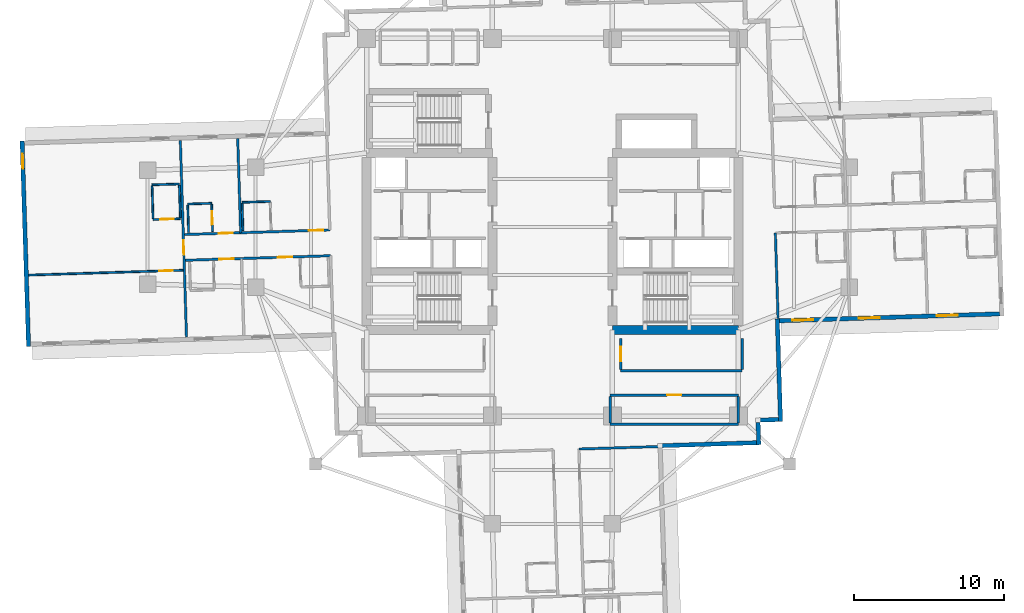
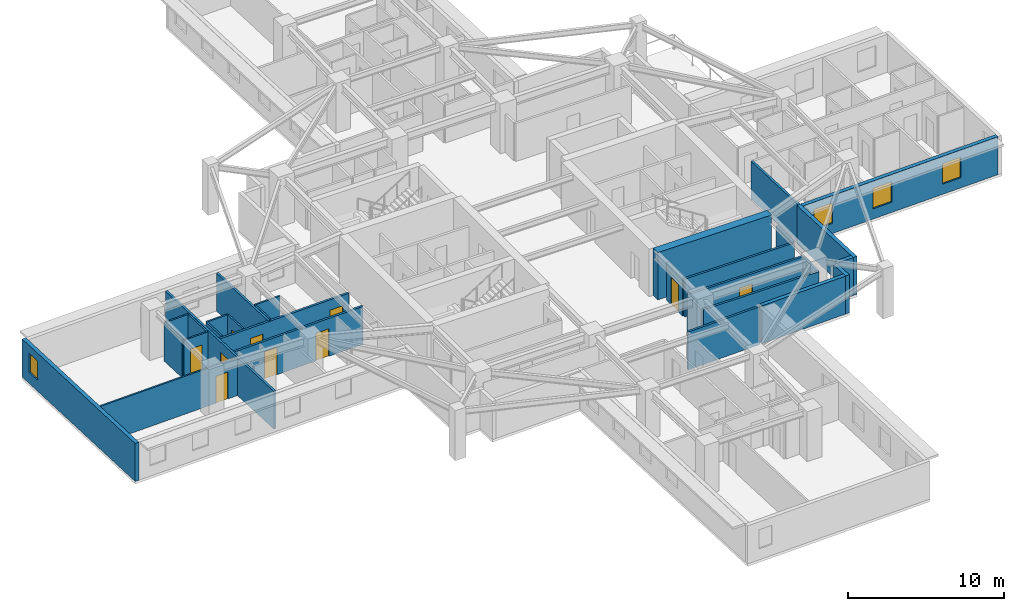
# One storey, part 4 of 14: 30 walls, 10 doors, 4 windows, 14 openings.
"""IFC4 building model written with IfcOpenShell, lengths in metres."""

from ifc_helpers import new_model, si_unit, direction, frame, frame_2d, origin, place, context, subcontext, project, spatial, rectangle, extrude, material, layer, layer_set, type_object, element, fill, save


model = new_model("IFC4")

# Units and contexts
model_context = context("Model", 3, precision=1e-05, world=origin(), true_north=direction((0.0, 1.0)))
body_context = subcontext(model_context, "Body", "Model", "MODEL_VIEW")
ifc_project = project(units=[si_unit("LENGTHUNIT", "METRE"), si_unit("AREAUNIT", "SQUARE_METRE"), si_unit("VOLUMEUNIT", "CUBIC_METRE"), si_unit("PLANEANGLEUNIT", "RADIAN"), si_unit("MASSUNIT", "GRAM", prefix="KILO")], contexts=[model_context])

# Site, building, storey
site_placement = place(None, origin())
site = spatial("IfcSite", under=ifc_project, at=site_placement, CompositionType="ELEMENT")
building_placement = place(site_placement, origin())
building = spatial("IfcBuilding", under=site, at=building_placement, Name="Qingluan Cross Belvedere", CompositionType="ELEMENT")
storey_placement = place(building_placement, frame((0.0, 0.0, 135.89990234375)))
storey = spatial("IfcBuildingStorey", under=building, at=storey_placement, Name="L34", CompositionType="ELEMENT", Elevation=135.89990234375)

# Walls
ifc_material_1 = material(Name="Concrete C60", Category="concrete")
ifc_layer_1 = layer(ifc_material_1, 0.60009765625, Name="CoreShearWall_600")
ifc_layer_set_1 = layer_set([ifc_layer_1], Name="Concrete C60")
wall_type_1 = type_object("IfcWallType", Name="CoreShearWall_600", PredefinedType="SHEAR", material=ifc_layer_set_1)
wall_1_placement = place(storey_placement, frame((4.0, -6.85009765625, 0.0), z_axis=(0.0, 0.0, 1.0), x_axis=(1.0, 0.0, 0.0)))
element("IfcWall", 1, at=wall_1_placement, inside=storey, type_object=wall_type_1, Name="Split core E shear wall L34-S", PredefinedType="SHEAR", context=body_context, shape_type="SweptSolid", body=[
    extrude(rectangle(XDim=8.39990234375, YDim=0.60009765625, at=frame_2d((4.199951171875, 0.0))), origin(), (0.0, 0.0, 1.0), 3.7001953125),
])
ifc_material_2 = material(Name="Gypsum plasterboard on steel stud acoustic partition", Category="steel")
ifc_layer_2 = layer(ifc_material_2, 0.159912109375, Name="CorridorPartition_160")
ifc_layer_set_2 = layer_set([ifc_layer_2], Name="Gypsum plasterboard on steel stud acoustic partition")
wall_type_2 = type_object("IfcWallType", Name="CorridorPartition_160", PredefinedType="PARTITIONING", material=ifc_layer_set_2)
wall_2_placement = place(storey_placement, frame((3.85009765625, -13.14990234375, 0.0), z_axis=(0.0, 0.0, 1.0), x_axis=(1.0, 0.0, 0.0)))
element("IfcWall", 2, at=wall_2_placement, inside=storey, type_object=wall_type_2, Name="Partition L34:q_se:S", PredefinedType="PARTITIONING", context=body_context, shape_type="SweptSolid", body=[
    extrude(rectangle(XDim=8.5498046875, YDim=0.159912109375, at=frame_2d((4.27490234375, 0.0))), origin(), (0.0, 0.0, 1.0), 2.960205078125),
])

# Wall, opening, door
wall_3_placement = place(storey_placement, frame((3.85009765625, -11.199951171875, 0.0), z_axis=(0.0, 0.0, 1.0), x_axis=(1.0, 0.0, 0.0)))
wall_3 = element("IfcWall", 3, at=wall_3_placement, inside=storey, type_object=wall_type_2, Name="Partition L34:q_se:N", PredefinedType="PARTITIONING", context=body_context, shape_type="SweptSolid", body=[
    extrude(rectangle(XDim=8.5498046875, YDim=0.159912109375, at=frame_2d((4.27490234375, 0.0))), origin(), (0.0, 0.0, 1.0), 2.960205078125),
])
opening_1_placement = place(wall_3_placement, frame((3.794921875, 0.0, 0.0)))
opening_1 = element("IfcOpeningElement", 4, at=opening_1_placement, cuts=wall_3, Name="Opening GD-10", PredefinedType="OPENING", context=body_context, shape_type="SweptSolid", body=[
    extrude(rectangle(XDim=0.9599609375, YDim=2.14990234375, at=frame_2d((0.47998046875, 1.074951171875))), frame((0.0, 0.08984375, 0.0), z_axis=(0.0, -1.0, 0.0), x_axis=(1.0, 0.0, 0.0)), (0.0, 0.0, 1.0), 0.179931640625),
])
ifc_material_3 = material(Name="Timber oak fire-rated acoustic guestroom door", Category="wood")
door_type_1 = type_object("IfcDoorType", Name="GuestEntryDoor_FD60", OperationType="NOTDEFINED", PredefinedType="DOOR", material=ifc_material_3)
door_1_placement = place(opening_1_placement, origin())
door_1 = element("IfcDoor", 5, at=door_1_placement, inside=storey, type_object=door_type_1, Name="Wellness lounge L34 door", OperationType="SINGLE_SWING_LEFT", OverallHeight=2.14990234375, OverallWidth=0.9599609375, PredefinedType="DOOR", context=body_context, shape_type="SweptSolid", body=[
    extrude(rectangle(XDim=0.9599609375, YDim=2.14990234375, at=frame_2d((0.47998046875, 1.074951171875))), frame((0.0, 0.02490234375, 0.0), z_axis=(0.0, -1.0, 0.0), x_axis=(1.0, 0.0, 0.0)), (0.0, 0.0, 1.0), 0.050048828125),
])
fill(opening_1, door_1)

# Walls
for number, where, z_axis, x_axis, name in (
    (6, (3.85009765625, -13.06494140625, 0.0), (0.0, 0.0, 1.0), (0.0, 1.0, 0.0), "Partition L34:q_se:W"),
    (7, (12.39990234375, -13.06494140625, 0.0), (0.0, 0.0, 1.0), (0.0, 1.0, 0.0), "Partition L34:q_se:E"),
):
    element("IfcWall", number, at=place(storey_placement, frame(where, z_axis=z_axis, x_axis=x_axis)), inside=storey, type_object=wall_type_2, Name=name, PredefinedType="PARTITIONING", context=body_context, shape_type="SweptSolid", body=[
        extrude(rectangle(XDim=1.780029296875, YDim=0.159912109375, at=frame_2d((0.89013671875, 0.0))), origin(), (0.0, 0.0, 1.0), 2.960205078125),
    ])
wall_4_placement = place(storey_placement, frame((4.550048828125, -9.580078125, 0.0), z_axis=(0.0, 0.0, 1.0), x_axis=(1.0, 0.0, 0.0)))
element("IfcWall", 8, at=wall_4_placement, inside=storey, type_object=wall_type_2, Name="Partition L34:rec_st4:S", PredefinedType="PARTITIONING", context=body_context, shape_type="SweptSolid", body=[
    extrude(rectangle(XDim=8.099853515625, YDim=0.159912109375, at=frame_2d((4.0498046875, 0.0))), origin(), (0.0, 0.0, 1.0), 2.960205078125),
])

# Wall, opening, door
wall_5_placement = place(storey_placement, frame((4.550048828125, -9.4951171875, 0.0), z_axis=(0.0, 0.0, 1.0), x_axis=(0.0, 1.0, 0.0)))
wall_5 = element("IfcWall", 9, at=wall_5_placement, inside=storey, type_object=wall_type_2, Name="Partition L34:rec_st4:W", PredefinedType="PARTITIONING", context=body_context, shape_type="SweptSolid", body=[
    extrude(rectangle(XDim=2.06005859375, YDim=0.159912109375, at=frame_2d((1.030029296875, 0.0))), origin(), (0.0, 0.0, 1.0), 2.960205078125),
])
opening_2_placement = place(wall_5_placement, frame((0.550048828125, 0.0, 0.0)))
opening_2 = element("IfcOpeningElement", 10, at=opening_2_placement, cuts=wall_5, Name="Opening GD-10", PredefinedType="OPENING", context=body_context, shape_type="SweptSolid", body=[
    extrude(rectangle(XDim=0.9599609375, YDim=2.14990234375, at=frame_2d((0.47998046875, 1.074951171875))), frame((0.0, 0.08984375, 0.0), z_axis=(0.0, -1.0, 0.0), x_axis=(1.0, 0.0, 0.0)), (0.0, 0.0, 1.0), 0.179931640625),
])
door_2_placement = place(opening_2_placement, origin())
door_2 = element("IfcDoor", 11, at=door_2_placement, inside=storey, type_object=door_type_1, Name="Southeast club library room L34 door", OperationType="SINGLE_SWING_RIGHT", OverallHeight=2.14990234375, OverallWidth=0.9599609375, PredefinedType="DOOR", context=body_context, shape_type="SweptSolid", body=[
    extrude(rectangle(XDim=0.9599609375, YDim=2.14990234375, at=frame_2d((0.47998046875, 1.074951171875))), frame((0.0, 0.02490234375, 0.0), z_axis=(0.0, -1.0, 0.0), x_axis=(1.0, 0.0, 0.0)), (0.0, 0.0, 1.0), 0.050048828125),
])
fill(opening_2, door_2)

# Walls
wall_6_placement = place(storey_placement, frame((12.64990234375, -9.4951171875, 0.0), z_axis=(0.0, 0.0, 1.0), x_axis=(0.0, 1.0, 0.0)))
element("IfcWall", 12, at=wall_6_placement, inside=storey, type_object=wall_type_2, Name="Partition L34:rec_st4:E", PredefinedType="PARTITIONING", context=body_context, shape_type="SweptSolid", body=[
    extrude(rectangle(XDim=2.06005859375, YDim=0.159912109375, at=frame_2d((1.030029296875, 0.0))), origin(), (0.0, 0.0, 1.0), 2.960205078125),
])
wall_7_placement = place(storey_placement, frame((14.86962890625, -0.39306640625, 0.0), z_axis=(0.0, 0.0, 1.0), x_axis=(0.031457590098, -0.999505087543, 0.0)))
element("IfcWall", 13, at=wall_7_placement, inside=storey, type_object=wall_type_2, Name="Partition L34:E:s1", PredefinedType="PARTITIONING", context=body_context, shape_type="SweptSolid", body=[
    extrude(rectangle(XDim=5.712158203125, YDim=0.159912109375, at=frame_2d((2.85595703125, 0.0))), origin(), (0.0, 0.0, 1.0), 2.960205078125),
])

# Wall, openings, doors
wall_8_placement = place(storey_placement, frame((-14.8515625, -0.1865234375, 0.0), z_axis=(0.0, 0.0, 1.0), x_axis=(-0.999506535435, -0.031411552371, 0.0)))
wall_8 = element("IfcWall", 14, at=wall_8_placement, inside=storey, type_object=wall_type_2, Name="Partition L34:W:c0", PredefinedType="PARTITIONING", context=body_context, shape_type="SweptSolid", body=[
    extrude(rectangle(XDim=9.699951171875, YDim=0.159912109375, at=frame_2d((4.85009765625, 0.0))), origin(), (0.0, 0.0, 1.0), 2.960205078125),
])
opening_3_placement = place(wall_8_placement, frame((0.449951171875, 0.0, 0.0)))
opening_3 = element("IfcOpeningElement", 15, at=opening_3_placement, cuts=wall_8, Name="Opening GD-10", PredefinedType="OPENING", context=body_context, shape_type="SweptSolid", body=[
    extrude(rectangle(XDim=0.9599609375, YDim=2.14990234375, at=frame_2d((0.47998046875, 1.074951171875))), frame((0.0, 0.08984375, 0.0), z_axis=(0.0, -1.0, 0.0), x_axis=(1.0, 0.0, 0.0)), (0.0, 0.0, 1.0), 0.179931640625),
])
opening_4_placement = place(wall_8_placement, frame((6.467041015625, 0.0, 0.0)))
opening_4 = element("IfcOpeningElement", 16, at=opening_4_placement, cuts=wall_8, Name="Opening GD-10", PredefinedType="OPENING", context=body_context, shape_type="SweptSolid", body=[
    extrude(rectangle(XDim=0.9599609375, YDim=2.14990234375, at=frame_2d((0.47998046875, 1.074951171875))), frame((0.0, 0.08984375, 0.0), z_axis=(0.0, -1.0, 0.0), x_axis=(1.0, 0.0, 0.0)), (0.0, 0.0, 1.0), 0.179931640625),
])
door_3_placement = place(opening_3_placement, origin())
door_3 = element("IfcDoor", 17, at=door_3_placement, inside=storey, type_object=door_type_1, Name="Guest entry fire door 3407", OperationType="SINGLE_SWING_RIGHT", OverallHeight=2.14990234375, OverallWidth=0.9599609375, PredefinedType="DOOR", context=body_context, shape_type="SweptSolid", body=[
    extrude(rectangle(XDim=0.9599609375, YDim=2.14990234375, at=frame_2d((0.47998046875, 1.074951171875))), frame((0.0, 0.02490234375, 0.0), z_axis=(0.0, -1.0, 0.0), x_axis=(1.0, 0.0, 0.0)), (0.0, 0.0, 1.0), 0.050048828125),
])
fill(opening_3, door_3)
door_4_placement = place(opening_4_placement, origin())
door_4 = element("IfcDoor", 18, at=door_4_placement, inside=storey, type_object=door_type_1, Name="Guest entry fire door 3408", OperationType="SINGLE_SWING_RIGHT", OverallHeight=2.14990234375, OverallWidth=0.9599609375, PredefinedType="DOOR", context=body_context, shape_type="SweptSolid", body=[
    extrude(rectangle(XDim=0.9599609375, YDim=2.14990234375, at=frame_2d((0.47998046875, 1.074951171875))), frame((0.0, 0.02490234375, 0.0), z_axis=(0.0, -1.0, 0.0), x_axis=(1.0, 0.0, 0.0)), (0.0, 0.0, 1.0), 0.050048828125),
])
fill(opening_4, door_4)

# Wall
wall_9_placement = place(storey_placement, frame((-20.798583984375, -0.37353515625, 0.0), z_axis=(0.0, 0.0, 1.0), x_axis=(-0.031391020963, 0.999507180466, 0.0)))
element("IfcWall", 19, at=wall_9_placement, inside=storey, type_object=wall_type_2, Name="Partition L34:W:d0_0", PredefinedType="PARTITIONING", context=body_context, shape_type="SweptSolid", body=[
    extrude(rectangle(XDim=6.2919921875, YDim=0.159912109375, at=frame_2d((3.14599609375, 0.0))), origin(), (0.0, 0.0, 1.0), 2.960205078125),
])

# Wall, openings, doors
wall_10_placement = place(storey_placement, frame((-14.79736328125, -1.90576171875, 0.0), z_axis=(0.0, 0.0, 1.0), x_axis=(-0.999506560269, -0.031410762168, 0.0)))
wall_10 = element("IfcWall", 20, at=wall_10_placement, inside=storey, type_object=wall_type_2, Name="Partition L34:W:c1", PredefinedType="PARTITIONING", context=body_context, shape_type="SweptSolid", body=[
    extrude(rectangle(XDim=9.7001953125, YDim=0.159912109375, at=frame_2d((4.85009765625, 0.0))), origin(), (0.0, 0.0, 1.0), 2.960205078125),
])
opening_5_placement = place(wall_10_placement, frame((2.574951171875, 0.0, 0.0)))
opening_5 = element("IfcOpeningElement", 21, at=opening_5_placement, cuts=wall_10, Name="Opening GD-10", PredefinedType="OPENING", context=body_context, shape_type="SweptSolid", body=[
    extrude(rectangle(XDim=0.9599609375, YDim=2.14990234375, at=frame_2d((0.47998046875, 1.074951171875))), frame((0.0, 0.08984375, 0.0), z_axis=(0.0, -1.0, 0.0), x_axis=(1.0, 0.0, 0.0)), (0.0, 0.0, 1.0), 0.179931640625),
])
opening_6_placement = place(wall_10_placement, frame((6.467041015625, 0.0, 0.0)))
opening_6 = element("IfcOpeningElement", 22, at=opening_6_placement, cuts=wall_10, Name="Opening GD-10", PredefinedType="OPENING", context=body_context, shape_type="SweptSolid", body=[
    extrude(rectangle(XDim=0.9599609375, YDim=2.14990234375, at=frame_2d((0.47998046875, 1.074951171875))), frame((0.0, 0.08984375, 0.0), z_axis=(0.0, -1.0, 0.0), x_axis=(1.0, 0.0, 0.0)), (0.0, 0.0, 1.0), 0.179931640625),
])
door_5_placement = place(opening_5_placement, origin())
door_5 = element("IfcDoor", 23, at=door_5_placement, inside=storey, type_object=door_type_1, Name="Guest entry fire door 3409", OperationType="SINGLE_SWING_RIGHT", OverallHeight=2.14990234375, OverallWidth=0.9599609375, PredefinedType="DOOR", context=body_context, shape_type="SweptSolid", body=[
    extrude(rectangle(XDim=0.9599609375, YDim=2.14990234375, at=frame_2d((0.47998046875, 1.074951171875))), frame((0.0, 0.02490234375, 0.0), z_axis=(0.0, -1.0, 0.0), x_axis=(1.0, 0.0, 0.0)), (0.0, 0.0, 1.0), 0.050048828125),
])
fill(opening_5, door_5)
door_6_placement = place(opening_6_placement, origin())
door_6 = element("IfcDoor", 24, at=door_6_placement, inside=storey, type_object=door_type_1, Name="Guest entry fire door 3410", OperationType="SINGLE_SWING_RIGHT", OverallHeight=2.14990234375, OverallWidth=0.9599609375, PredefinedType="DOOR", context=body_context, shape_type="SweptSolid", body=[
    extrude(rectangle(XDim=0.9599609375, YDim=2.14990234375, at=frame_2d((0.47998046875, 1.074951171875))), frame((0.0, 0.02490234375, 0.0), z_axis=(0.0, -1.0, 0.0), x_axis=(1.0, 0.0, 0.0)), (0.0, 0.0, 1.0), 0.050048828125),
])
fill(opening_6, door_6)

# Wall
wall_11_placement = place(storey_placement, frame((1.765869140625, -14.8017578125, 0.0), z_axis=(0.0, 0.0, 1.0), x_axis=(0.999507009157, 0.031396475072, 0.0)))
element("IfcWall", 25, at=wall_11_placement, inside=storey, type_object=wall_type_2, Name="Partition L34:S:s0", PredefinedType="PARTITIONING", context=body_context, shape_type="SweptSolid", body=[
    extrude(rectangle(XDim=5.419921875, YDim=0.159912109375, at=frame_2d((2.7099609375, 0.0))), origin(), (0.0, 0.0, 1.0), 2.960205078125),
])

# Wall, opening, door
wall_12_placement = place(storey_placement, frame((-24.411376953125, -7.34228515625, 0.0), z_axis=(0.0, 0.0, 1.0), x_axis=(-0.031409296822, 0.999506606318, 0.0)))
wall_12 = element("IfcWall", 26, at=wall_12_placement, inside=storey, type_object=wall_type_2, Name="Partition L34:Wcap:in", PredefinedType="PARTITIONING", context=body_context, shape_type="SweptSolid", body=[
    extrude(rectangle(XDim=13.14404296875, YDim=0.159912109375, at=frame_2d((6.572021484375, 0.0))), origin(), (0.0, 0.0, 1.0), 2.960205078125),
])
opening_7_placement = place(wall_12_placement, frame((5.511962890625, 0.0, 0.0)))
opening_7 = element("IfcOpeningElement", 27, at=opening_7_placement, cuts=wall_12, Name="Opening GD-10", PredefinedType="OPENING", context=body_context, shape_type="SweptSolid", body=[
    extrude(rectangle(XDim=0.9599609375, YDim=2.14990234375, at=frame_2d((0.47998046875, 1.074951171875))), frame((0.0, 0.08984375, 0.0), z_axis=(0.0, -1.0, 0.0), x_axis=(1.0, 0.0, 0.0)), (0.0, 0.0, 1.0), 0.179931640625),
])
door_7_placement = place(opening_7_placement, origin())
door_7 = element("IfcDoor", 28, at=door_7_placement, inside=storey, type_object=door_type_1, Name="Horizon corner suite door L34W", OperationType="SINGLE_SWING_LEFT", OverallHeight=2.14990234375, OverallWidth=0.9599609375, PredefinedType="DOOR", context=body_context, shape_type="SweptSolid", body=[
    extrude(rectangle(XDim=0.9599609375, YDim=2.14990234375, at=frame_2d((0.47998046875, 1.074951171875))), frame((0.0, 0.02490234375, 0.0), z_axis=(0.0, -1.0, 0.0), x_axis=(1.0, 0.0, 0.0)), (0.0, 0.0, 1.0), 0.050048828125),
])
fill(opening_7, door_7)

# Walls
ifc_material_4 = material(Name="Moisture-resistant gypsum board lining")
ifc_layer_3 = layer(ifc_material_4, 0.1201171875, Name="EnsuiteWetPartition_120")
ifc_layer_set_3 = layer_set([ifc_layer_3], Name="Moisture-resistant gypsum board lining")
wall_type_3 = type_object("IfcWallType", Name="EnsuiteWetPartition_120", PredefinedType="PARTITIONING", material=ifc_layer_set_3)
wall_13_placement = place(storey_placement, frame((-20.64306640625, -0.228515625, 0.0), z_axis=(0.0, 0.0, 1.0), x_axis=(-0.031389704724, 0.999507221803, 0.0)))
element("IfcWall", 29, at=wall_13_placement, inside=storey, type_object=wall_type_3, Name="Partition L34:W:bw0_0", PredefinedType="PARTITIONING", context=body_context, shape_type="SweptSolid", body=[
    extrude(rectangle(XDim=1.820068359375, YDim=0.1201171875, at=frame_2d((0.91015625, 0.0))), origin(), (0.0, 0.0, 1.0), 2.960205078125),
])
wall_14_placement = place(storey_placement, frame((-18.822998046875, 1.714599609375, 0.0), z_axis=(0.0, 0.0, 1.0), x_axis=(-0.999506103526, -0.031425292588, 0.0)))
element("IfcWall", 30, at=wall_14_placement, inside=storey, type_object=wall_type_3, Name="Partition L34:W:bn0_0", PredefinedType="PARTITIONING", context=body_context, shape_type="SweptSolid", body=[
    extrude(rectangle(XDim=1.880126953125, YDim=0.1201171875, at=frame_2d((0.93994140625, 0.0))), origin(), (0.0, 0.0, 1.0), 2.960205078125),
])

# Wall, opening, door
wall_15_placement = place(storey_placement, frame((-22.672119140625, -0.292236328125, 0.0), z_axis=(0.0, 0.0, 1.0), x_axis=(-0.031389704724, 0.999507221803, 0.0)))
wall_15 = element("IfcWall", 31, at=wall_15_placement, inside=storey, type_object=wall_type_3, Name="Partition L34:W:bs0_1", PredefinedType="PARTITIONING", context=body_context, shape_type="SweptSolid", body=[
    extrude(rectangle(XDim=1.820068359375, YDim=0.1201171875, at=frame_2d((0.91015625, 0.0))), origin(), (0.0, 0.0, 1.0), 2.960205078125),
])
opening_8_placement = place(wall_15_placement, frame((0.469970703125, 0.0, 0.0)))
opening_8 = element("IfcOpeningElement", 32, at=opening_8_placement, cuts=wall_15, Name="Opening BD-09", PredefinedType="OPENING", context=body_context, shape_type="SweptSolid", body=[
    extrude(rectangle(XDim=0.8798828125, YDim=2.10009765625, at=frame_2d((0.43994140625, 1.050048828125))), frame((0.0, 0.070068359375, 0.0), z_axis=(0.0, -1.0, 0.0), x_axis=(1.0, 0.0, 0.0)), (0.0, 0.0, 1.0), 0.14013671875),
])
ifc_material_5 = material(Name="Moisture-sealed timber en-suite door", Category="wood")
door_type_2 = type_object("IfcDoorType", Name="BathroomDoor_880", OperationType="NOTDEFINED", PredefinedType="DOOR", material=ifc_material_5)
door_8_placement = place(opening_8_placement, origin())
door_8 = element("IfcDoor", 33, at=door_8_placement, inside=storey, type_object=door_type_2, Name="Bathroom door 3408", OperationType="SINGLE_SWING_LEFT", OverallHeight=2.10009765625, OverallWidth=0.8798828125, PredefinedType="DOOR", context=body_context, shape_type="SweptSolid", body=[
    extrude(rectangle(XDim=0.8798828125, YDim=2.10009765625, at=frame_2d((0.43994140625, 1.050048828125))), frame((0.0, 0.02490234375, 0.0), z_axis=(0.0, -1.0, 0.0), x_axis=(1.0, 0.0, 0.0)), (0.0, 0.0, 1.0), 0.050048828125),
])
fill(opening_8, door_8)

# Walls
wall_16_placement = place(storey_placement, frame((-24.271240234375, -0.342529296875, 0.0), z_axis=(0.0, 0.0, 1.0), x_axis=(-0.031389704724, 0.999507221803, 0.0)))
element("IfcWall", 34, at=wall_16_placement, inside=storey, type_object=wall_type_3, Name="Partition L34:W:bw0_1", PredefinedType="PARTITIONING", context=body_context, shape_type="SweptSolid", body=[
    extrude(rectangle(XDim=1.820068359375, YDim=0.1201171875, at=frame_2d((0.91015625, 0.0))), origin(), (0.0, 0.0, 1.0), 2.960205078125),
])
wall_17_placement = place(storey_placement, frame((-22.731201171875, 1.591796875, 0.0), z_axis=(0.0, 0.0, 1.0), x_axis=(-0.999505803333, -0.031434839006, 0.0)))
element("IfcWall", 35, at=wall_17_placement, inside=storey, type_object=wall_type_3, Name="Partition L34:W:bn0_1", PredefinedType="PARTITIONING", context=body_context, shape_type="SweptSolid", body=[
    extrude(rectangle(XDim=1.599853515625, YDim=0.1201171875, at=frame_2d((0.7998046875, 0.0))), origin(), (0.0, 0.0, 1.0), 2.960205078125),
])

# Wall, opening, door
wall_18_placement = place(storey_placement, frame((-24.641845703125, -2.87548828125, 0.0), z_axis=(0.0, 0.0, 1.0), x_axis=(-0.999506354208, -0.031417318427, 0.0)))
wall_18 = element("IfcWall", 36, at=wall_18_placement, inside=storey, type_object=wall_type_3, Name="Partition L34:Wcap:m2", PredefinedType="PARTITIONING", context=body_context, shape_type="SweptSolid", body=[
    extrude(rectangle(XDim=10.31201171875, YDim=0.1201171875, at=frame_2d((5.156005859375, 0.0))), origin(), (0.0, 0.0, 1.0), 2.960205078125),
])
opening_9_placement = place(wall_18_placement, frame((0.699951171875, 0.0, 0.0)))
opening_9 = element("IfcOpeningElement", 37, at=opening_9_placement, cuts=wall_18, Name="Opening BD-89", PredefinedType="OPENING", context=body_context, shape_type="SweptSolid", body=[
    extrude(rectangle(XDim=0.89990234375, YDim=2.10009765625, at=frame_2d((0.449951171875, 1.050048828125))), frame((0.0, 0.070068359375, 0.0), z_axis=(0.0, -1.0, 0.0), x_axis=(1.0, 0.0, 0.0)), (0.0, 0.0, 1.0), 0.14013671875),
])
ifc_material_6 = material(Name="Timber acoustic study door", Category="wood")
door_type_3 = type_object("IfcDoorType", Name="SuiteStudyDoor_900", OperationType="NOTDEFINED", PredefinedType="DOOR", material=ifc_material_6)
door_9_placement = place(opening_9_placement, origin())
door_9 = element("IfcDoor", 38, at=door_9_placement, inside=storey, type_object=door_type_3, Name="Suite private study door L34W", OperationType="SINGLE_SWING_LEFT", OverallHeight=2.10009765625, OverallWidth=0.89990234375, PredefinedType="DOOR", context=body_context, shape_type="SweptSolid", body=[
    extrude(rectangle(XDim=0.89990234375, YDim=2.10009765625, at=frame_2d((0.449951171875, 1.050048828125))), frame((0.0, 0.02490234375, 0.0), z_axis=(0.0, -1.0, 0.0), x_axis=(1.0, 0.0, 0.0)), (0.0, 0.0, 1.0), 0.050048828125),
])
fill(opening_9, door_9)

# Walls
for number, where, z_axis, x_axis, name in (
    (39, (-24.822021484375, 0.630615234375, 0.0), (0.0, 0.0, 1.0), (-0.031357121398, 0.999508244557, 0.0), "Partition L34:Wcap:b2a"),
    (40, (-26.64111328125, 0.573486328125, 0.0), (0.0, 0.0, 1.0), (-0.031469000411, 0.99950472836, 0.0), "Partition L34:Wcap:b2b"),
):
    element("IfcWall", number, at=place(storey_placement, frame(where, z_axis=z_axis, x_axis=x_axis)), inside=storey, type_object=wall_type_3, Name=name, PredefinedType="PARTITIONING", context=body_context, shape_type="SweptSolid", body=[
        extrude(rectangle(XDim=2.179931640625, YDim=0.1201171875, at=frame_2d((1.08984375, 0.0))), origin(), (0.0, 0.0, 1.0), 2.960205078125),
    ])

# Wall, opening, door
wall_19_placement = place(storey_placement, frame((-24.81982421875, 0.560791015625, 0.0), z_axis=(0.0, 0.0, 1.0), x_axis=(-0.999503004171, -0.03152371574, 0.0)))
wall_19 = element("IfcWall", 41, at=wall_19_placement, inside=storey, type_object=wall_type_3, Name="Partition L34:Wcap:b2s", PredefinedType="PARTITIONING", context=body_context, shape_type="SweptSolid", body=[
    extrude(rectangle(XDim=1.820068359375, YDim=0.1201171875, at=frame_2d((0.91015625, 0.0))), origin(), (0.0, 0.0, 1.0), 2.960205078125),
])
opening_10_placement = place(wall_19_placement, frame((0.449951171875, 0.0, 0.0)))
opening_10 = element("IfcOpeningElement", 42, at=opening_10_placement, cuts=wall_19, Name="Opening BD-09", PredefinedType="OPENING", context=body_context, shape_type="SweptSolid", body=[
    extrude(rectangle(XDim=0.8798828125, YDim=2.10009765625, at=frame_2d((0.43994140625, 1.050048828125))), frame((0.0, 0.070068359375, 0.0), z_axis=(0.0, -1.0, 0.0), x_axis=(1.0, 0.0, 0.0)), (0.0, 0.0, 1.0), 0.14013671875),
])
door_10_placement = place(opening_10_placement, origin())
door_10 = element("IfcDoor", 43, at=door_10_placement, inside=storey, type_object=door_type_2, Name="En-suite bathroom door L34W", OperationType="SINGLE_SWING_RIGHT", OverallHeight=2.10009765625, OverallWidth=0.8798828125, PredefinedType="DOOR", context=body_context, shape_type="SweptSolid", body=[
    extrude(rectangle(XDim=0.8798828125, YDim=2.10009765625, at=frame_2d((0.43994140625, 1.050048828125))), frame((0.0, 0.02490234375, 0.0), z_axis=(0.0, -1.0, 0.0), x_axis=(1.0, 0.0, 0.0)), (0.0, 0.0, 1.0), 0.050048828125),
])
fill(opening_10, door_10)

# Wall
wall_20_placement = place(storey_placement, frame((-24.892578125, 2.87939453125, 0.0), z_axis=(0.0, 0.0, 1.0), x_axis=(-0.999511552526, -0.031251501844, 0.0)))
element("IfcWall", 44, at=wall_20_placement, inside=storey, type_object=wall_type_3, Name="Partition L34:Wcap:b2n", PredefinedType="PARTITIONING", context=body_context, shape_type="SweptSolid", body=[
    extrude(rectangle(XDim=1.8203125, YDim=0.1201171875, at=frame_2d((0.91015625, 0.0))), origin(), (0.0, 0.0, 1.0), 2.960205078125),
])

# Wall, openings, windows
ifc_material_7 = material(Name="Precast concrete C45", Category="concrete")
ifc_layer_4 = layer(ifc_material_7, 0.280029296875, Name="PrecastFacadeWall_280")
ifc_layer_set_4 = layer_set([ifc_layer_4], Name="Precast concrete C45")
wall_type_4 = type_object("IfcWallType", Name="PrecastFacadeWall_280", PredefinedType="STANDARD", material=ifc_layer_set_4)
wall_21_placement = place(storey_placement, frame((15.143798828125, -6.247314453125, 0.0), z_axis=(0.0, 0.0, 1.0), x_axis=(0.999506698073, 0.031406376864, 0.0)))
wall_21 = element("IfcWall", 45, at=wall_21_placement, inside=storey, type_object=wall_type_4, Name="Facade wall L34-EA", PredefinedType="STANDARD", context=body_context, shape_type="SweptSolid", body=[
    extrude(rectangle(XDim=14.699951171875, YDim=0.280029296875, at=frame_2d((7.35009765625, 0.0))), origin(), (0.0, 0.0, 1.0), 2.97021484375),
])
opening_11_placement = place(wall_21_placement, frame((0.85009765625, 0.0, 0.800048828125)))
opening_11 = element("IfcOpeningElement", 46, at=opening_11_placement, cuts=wall_21, Name="Opening W-01", PredefinedType="OPENING", context=body_context, shape_type="SweptSolid", body=[
    extrude(rectangle(XDim=1.39990234375, YDim=1.60009765625, at=frame_2d((0.699951171875, 0.800048828125))), frame((0.0, 0.14990234375, 0.0), z_axis=(0.0, -1.0, 0.0), x_axis=(1.0, 0.0, 0.0)), (0.0, 0.0, 1.0), 0.300048828125),
])
opening_12_placement = place(wall_21_placement, frame((5.300048828125, 0.0, 0.800048828125)))
opening_12 = element("IfcOpeningElement", 47, at=opening_12_placement, cuts=wall_21, Name="Opening W-01", PredefinedType="OPENING", context=body_context, shape_type="SweptSolid", body=[
    extrude(rectangle(XDim=1.39990234375, YDim=1.60009765625, at=frame_2d((0.699951171875, 0.800048828125))), frame((0.0, 0.14990234375, 0.0), z_axis=(0.0, -1.0, 0.0), x_axis=(1.0, 0.0, 0.0)), (0.0, 0.0, 1.0), 0.300048828125),
])
opening_13_placement = place(wall_21_placement, frame((10.5, 0.0, 0.800048828125)))
opening_13 = element("IfcOpeningElement", 48, at=opening_13_placement, cuts=wall_21, Name="Opening W-01", PredefinedType="OPENING", context=body_context, shape_type="SweptSolid", body=[
    extrude(rectangle(XDim=1.39990234375, YDim=1.60009765625, at=frame_2d((0.699951171875, 0.800048828125))), frame((0.0, 0.14990234375, 0.0), z_axis=(0.0, -1.0, 0.0), x_axis=(1.0, 0.0, 0.0)), (0.0, 0.0, 1.0), 0.300048828125),
])
ifc_material_8 = material(Name="Thermally broken triple Low-E glass in aluminium frame", Category="aluminium")
window_type_1 = type_object("IfcWindowType", Name="TriRibbonWin_1400x1600", PartitioningType="SINGLE_PANEL", PredefinedType="WINDOW", material=ifc_material_8)
window_1_placement = place(opening_11_placement, origin())
window_1 = element("IfcWindow", 49, at=window_1_placement, inside=storey, type_object=window_type_1, Name="Ribbon window L34-EA-1", OverallHeight=1.60009765625, OverallWidth=1.39990234375, PartitioningType="SINGLE_PANEL", PredefinedType="WINDOW", context=body_context, shape_type="SweptSolid", body=[
    extrude(rectangle(XDim=1.39990234375, YDim=1.60009765625, at=frame_2d((0.699951171875, 0.800048828125))), frame((0.0, 0.030029296875, 0.0), z_axis=(0.0, -1.0, 0.0), x_axis=(1.0, 0.0, 0.0)), (0.0, 0.0, 1.0), 0.06005859375),
])
fill(opening_11, window_1)
window_2_placement = place(opening_12_placement, origin())
window_2 = element("IfcWindow", 50, at=window_2_placement, inside=storey, type_object=window_type_1, Name="Ribbon window L34-EA-2", OverallHeight=1.60009765625, OverallWidth=1.39990234375, PartitioningType="SINGLE_PANEL", PredefinedType="WINDOW", context=body_context, shape_type="SweptSolid", body=[
    extrude(rectangle(XDim=1.39990234375, YDim=1.60009765625, at=frame_2d((0.699951171875, 0.800048828125))), frame((0.0, 0.030029296875, 0.0), z_axis=(0.0, -1.0, 0.0), x_axis=(1.0, 0.0, 0.0)), (0.0, 0.0, 1.0), 0.06005859375),
])
fill(opening_12, window_2)
window_3_placement = place(opening_13_placement, origin())
window_3 = element("IfcWindow", 51, at=window_3_placement, inside=storey, type_object=window_type_1, Name="Ribbon window L34-EA-3", OverallHeight=1.60009765625, OverallWidth=1.39990234375, PartitioningType="SINGLE_PANEL", PredefinedType="WINDOW", context=body_context, shape_type="SweptSolid", body=[
    extrude(rectangle(XDim=1.39990234375, YDim=1.60009765625, at=frame_2d((0.699951171875, 0.800048828125))), frame((0.0, 0.030029296875, 0.0), z_axis=(0.0, -1.0, 0.0), x_axis=(1.0, 0.0, 0.0)), (0.0, 0.0, 1.0), 0.06005859375),
])
fill(opening_13, window_3)

# Wall, opening, window
wall_22_placement = place(storey_placement, frame((-35.378173828125, 5.751708984375, 0.0), z_axis=(0.0, 0.0, 1.0), x_axis=(0.031406966164, -0.999506679556, 0.0)))
wall_22 = element("IfcWall", 52, at=wall_22_placement, inside=storey, type_object=wall_type_4, Name="Arm tip precast facade wall L34-W", PredefinedType="STANDARD", context=body_context, shape_type="SweptSolid", body=[
    extrude(rectangle(XDim=13.72021484375, YDim=0.280029296875, at=frame_2d((6.860107421875, 0.0))), origin(), (0.0, 0.0, 1.0), 2.97021484375),
])
opening_14_placement = place(wall_22_placement, frame((0.85009765625, 0.0, 0.85009765625)))
opening_14 = element("IfcOpeningElement", 53, at=opening_14_placement, cuts=wall_22, Name="Opening W-03", PredefinedType="OPENING", context=body_context, shape_type="SweptSolid", body=[
    extrude(rectangle(XDim=1.0, YDim=1.5, at=frame_2d((0.5, 0.75))), frame((0.0, 0.14990234375, 0.0), z_axis=(0.0, -1.0, 0.0), x_axis=(1.0, 0.0, 0.0)), (0.0, 0.0, 1.0), 0.300048828125),
])
ifc_material_9 = material(Name="Thermally broken triple Low-E glass in aluminium frame", Category="aluminium")
window_type_2 = type_object("IfcWindowType", Name="TriApexWin_1000x1500", PartitioningType="SINGLE_PANEL", PredefinedType="WINDOW", material=ifc_material_9)
window_4_placement = place(opening_14_placement, origin())
window_4 = element("IfcWindow", 54, at=window_4_placement, inside=storey, type_object=window_type_2, Name="Arm tip triangular window L34-W", OverallHeight=1.5, OverallWidth=1.0, PartitioningType="SINGLE_PANEL", PredefinedType="WINDOW", context=body_context, shape_type="SweptSolid", body=[
    extrude(rectangle(XDim=1.0, YDim=1.5, at=frame_2d((0.5, 0.75))), frame((0.0, 0.030029296875, 0.0), z_axis=(0.0, -1.0, 0.0), x_axis=(1.0, 0.0, 0.0)), (0.0, 0.0, 1.0), 0.06005859375),
])
fill(opening_14, window_4)

# Walls
wall_23_placement = place(storey_placement, frame((14.99951171875, -6.11181640625, 0.0), z_axis=(0.0, 0.0, 1.0), x_axis=(0.031389189386, -0.999507237988, 0.0)))
element("IfcWall", 55, at=wall_23_placement, inside=storey, type_object=wall_type_4, Name="Corner wall L34-SE1", PredefinedType="STANDARD", context=body_context, shape_type="SweptSolid", body=[
    extrude(rectangle(XDim=6.860107421875, YDim=0.280029296875, at=frame_2d((3.43017578125, 0.0))), origin(), (0.0, 0.0, 1.0), 2.97021484375),
])
wall_24_placement = place(storey_placement, frame((15.070556640625, -12.8330078125, 0.0), z_axis=(0.0, 0.0, 1.0), x_axis=(-0.999506398264, -0.031415916822, 0.0)))
element("IfcWall", 56, at=wall_24_placement, inside=storey, type_object=wall_type_4, Name="Corner wall L34-SE2", PredefinedType="STANDARD", context=body_context, shape_type="SweptSolid", body=[
    extrude(rectangle(XDim=1.219970703125, YDim=0.280029296875, at=frame_2d((0.60986328125, 0.0))), origin(), (0.0, 0.0, 1.0), 2.97021484375),
])
wall_25_placement = place(storey_placement, frame((13.715576171875, -13.015625, 0.0), z_axis=(0.0, 0.0, 1.0), x_axis=(0.031412596484, -0.999506502621, 0.0)))
element("IfcWall", 57, at=wall_25_placement, inside=storey, type_object=wall_type_4, Name="Corner wall L34-SE3", PredefinedType="STANDARD", context=body_context, shape_type="SweptSolid", body=[
    extrude(rectangle(XDim=1.5, YDim=0.280029296875, at=frame_2d((0.75, 0.0))), origin(), (0.0, 0.0, 1.0), 2.97021484375),
])
wall_26_placement = place(storey_placement, frame((13.618408203125, -14.37939453125, 0.0), z_axis=(0.0, 0.0, 1.0), x_axis=(-0.999507224741, -0.031389611199, 0.0)))
element("IfcWall", 58, at=wall_26_placement, inside=storey, type_object=wall_type_4, Name="Corner wall L34-SE4", PredefinedType="STANDARD", context=body_context, shape_type="SweptSolid", body=[
    extrude(rectangle(XDim=6.300048828125, YDim=0.280029296875, at=frame_2d((3.14990234375, 0.0))), origin(), (0.0, 0.0, 1.0), 2.97021484375),
])

save(model, "model.ifc")
